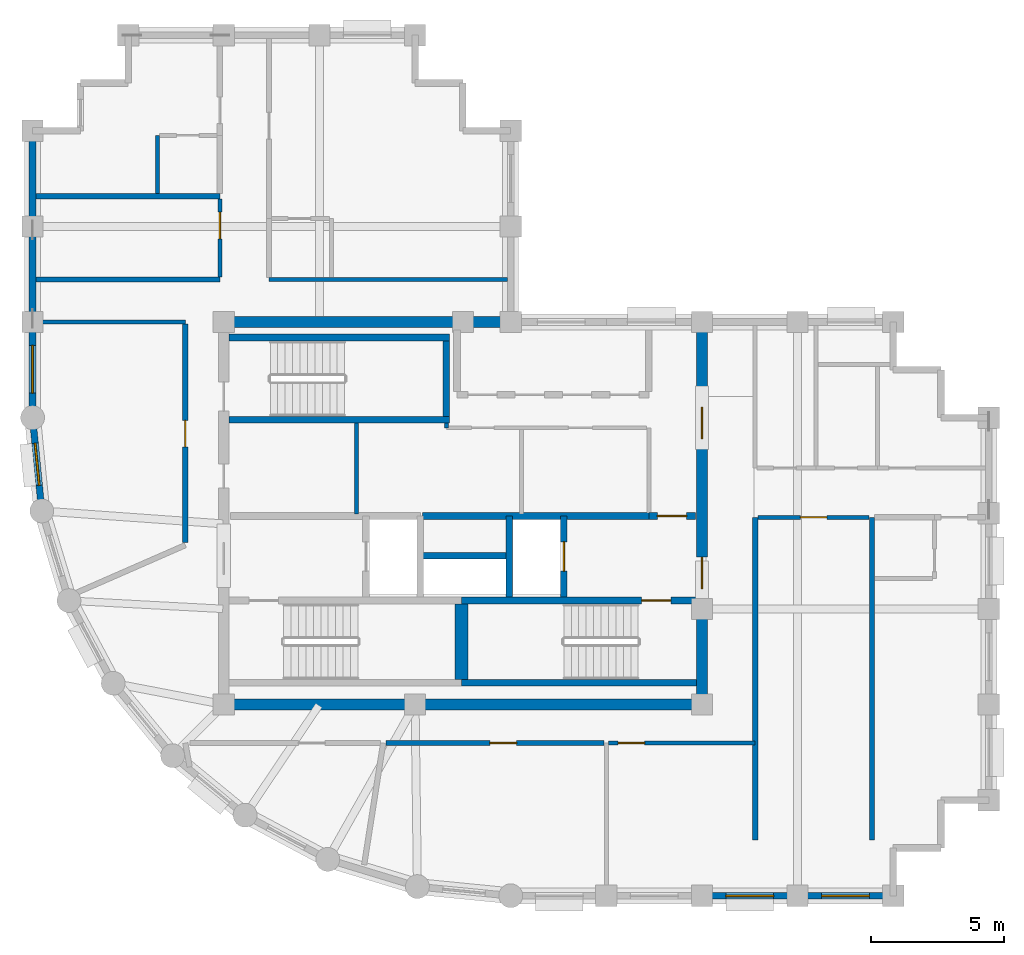
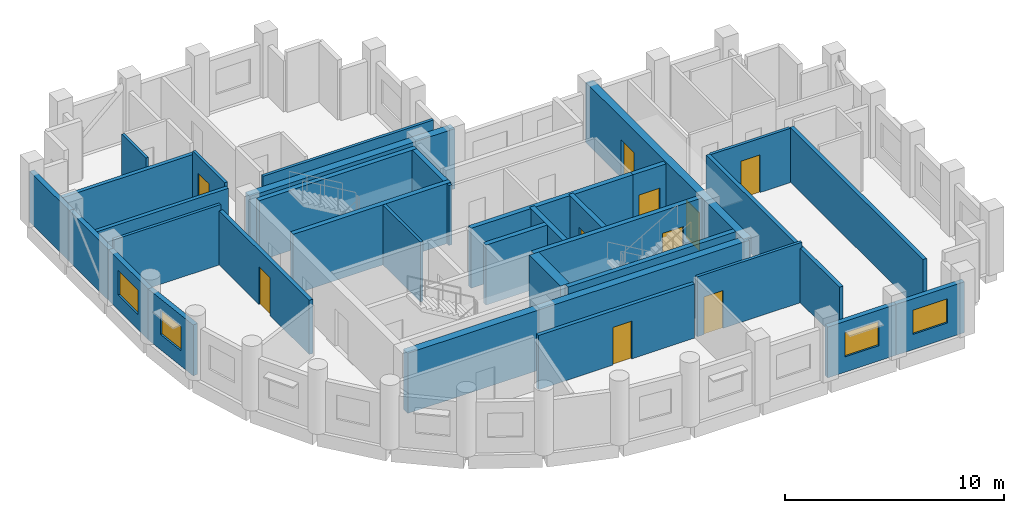
# One storey, part 3 of 7: 34 walls, 10 doors, 4 windows, 14 openings.
"""IFC4 building model written with IfcOpenShell, lengths in metres."""

from ifc_helpers import new_model, si_unit, direction, frame, frame_2d, origin, place, context, subcontext, project, spatial, rectangle, extrude, material, layer, layer_set, type_object, element, fill, save


model = new_model("IFC4")

# Units and contexts
model_context = context("Model", 3, precision=1e-05, world=origin(), true_north=direction((0.0, 1.0)))
body_context = subcontext(model_context, "Body", "Model", "MODEL_VIEW")
ifc_project = project(units=[si_unit("LENGTHUNIT", "METRE"), si_unit("AREAUNIT", "SQUARE_METRE"), si_unit("VOLUMEUNIT", "CUBIC_METRE"), si_unit("PLANEANGLEUNIT", "RADIAN"), si_unit("MASSUNIT", "GRAM", prefix="KILO")], contexts=[model_context])

# Site, building, storey
site_placement = place(None, origin())
site = spatial("IfcSite", under=ifc_project, at=site_placement, CompositionType="ELEMENT")
building_placement = place(site_placement, origin())
building = spatial("IfcBuilding", under=site, at=building_placement, Name="Solnavia Interchange Tower", CompositionType="ELEMENT")
storey_placement = place(building_placement, frame((0.0, 0.0, 242.60009765625)))
storey = spatial("IfcBuildingStorey", under=building, at=storey_placement, Name="L61", CompositionType="ELEMENT", Elevation=242.60009765625)

# Wall, opening, door
ifc_material_1 = material(Name="Gypsum Acoustic Twin-Stud & Mineral Wool", Category="gypsum")
ifc_layer_1 = layer(ifc_material_1, 0.199951171875)
ifc_layer_set_1 = layer_set([ifc_layer_1], Name="Gypsum Acoustic Twin-Stud & Mineral Wool")
wall_type_1 = type_object("IfcWallType", Name="Wall-ApartmentParty-200", PredefinedType="PARTITIONING", material=ifc_layer_set_1)
wall_1_placement = place(storey_placement, frame((12.949951171875, 16.904052734375, 0.0), z_axis=(0.0, 0.0, 1.0), x_axis=(0.0, 1.0, 0.0)))
wall_1 = element("IfcWall", 1, at=wall_1_placement, inside=storey, type_object=wall_type_1, Name="PTW-L61-12 Interior partition wall", PredefinedType="PARTITIONING", context=body_context, shape_type="SweptSolid", body=[
    extrude(rectangle(XDim=8.217041015625, YDim=0.199951171875, at=frame_2d((4.1083984375, 0.0))), origin(), (0.0, 0.0, 1.0), 3.02001953125),
])
opening_1_placement = place(wall_1_placement, frame((3.595947265625, 0.0, 0.0)))
opening_1 = element("IfcOpeningElement", 2, at=opening_1_placement, cuts=wall_1, Name="Opening DR-07", PredefinedType="OPENING", context=body_context, shape_type="SweptSolid", body=[
    extrude(rectangle(XDim=1.0, YDim=2.10009765625, at=frame_2d((0.5, 1.050048828125))), frame((0.0, 0.10986328125, 0.0), z_axis=(0.0, -1.0, 0.0), x_axis=(1.0, 0.0, 0.0)), (0.0, 0.0, 1.0), 0.219970703125),
])
ifc_material_2 = material(Name="Timber & Acoustic Glazed Office Door", Category="wood")
door_type_1 = type_object("IfcDoorType", Name="Door-Office-1000x2100", OperationType="SINGLE_SWING_RIGHT", PredefinedType="DOOR", material=ifc_material_2)
door_1_placement = place(opening_1_placement, origin())
door_1 = element("IfcDoor", 3, at=door_1_placement, inside=storey, type_object=door_type_1, Name="DR-L61-03 Interior room door", OperationType="SINGLE_SWING_LEFT", OverallHeight=2.10009765625, OverallWidth=1.0, PredefinedType="DOOR", context=body_context, shape_type="SweptSolid", body=[
    extrude(rectangle(XDim=1.0, YDim=2.10009765625, at=frame_2d((0.5, 1.050048828125))), frame((0.0, 0.02490234375, 0.0), z_axis=(0.0, -1.0, 0.0), x_axis=(1.0, 0.0, 0.0)), (0.0, 0.0, 1.0), 0.050048828125),
])
fill(opening_1, door_1)

wall_2_placement = place(storey_placement, frame((20.50390625, 9.35009765625, 0.0), z_axis=(0.0, 0.0, 1.0), x_axis=(1.0, 0.0, 0.0)))
wall_2 = element("IfcWall", 4, at=wall_2_placement, inside=storey, type_object=wall_type_1, Name="PTW-L61-15 Interior partition wall", PredefinedType="PARTITIONING", context=body_context, shape_type="SweptSolid", body=[
    extrude(rectangle(XDim=8.217041015625, YDim=0.199951171875, at=frame_2d((4.1083984375, 0.0))), origin(), (0.0, 0.0, 1.0), 3.02001953125),
])
opening_2_placement = place(wall_2_placement, frame((3.9140625, 0.0, 0.0)))
opening_2 = element("IfcOpeningElement", 5, at=opening_2_placement, cuts=wall_2, Name="Opening DR-07", PredefinedType="OPENING", context=body_context, shape_type="SweptSolid", body=[
    extrude(rectangle(XDim=1.0, YDim=2.10009765625, at=frame_2d((0.5, 1.050048828125))), frame((0.0, 0.10986328125, 0.0), z_axis=(0.0, -1.0, 0.0), x_axis=(1.0, 0.0, 0.0)), (0.0, 0.0, 1.0), 0.219970703125),
])
door_2_placement = place(opening_2_placement, origin())
door_2 = element("IfcDoor", 6, at=door_2_placement, inside=storey, type_object=door_type_1, Name="DR-L61-06 Interior room door", OperationType="SINGLE_SWING_RIGHT", OverallHeight=2.10009765625, OverallWidth=1.0, PredefinedType="DOOR", context=body_context, shape_type="SweptSolid", body=[
    extrude(rectangle(XDim=1.0, YDim=2.10009765625, at=frame_2d((0.5, 1.050048828125))), frame((0.0, 0.02490234375, 0.0), z_axis=(0.0, -1.0, 0.0), x_axis=(1.0, 0.0, 0.0)), (0.0, 0.0, 1.0), 0.050048828125),
])
fill(opening_2, door_2)

# Walls
for number, where, z_axis, x_axis, name in (
    (7, (34.39990234375, 5.699951171875, 0.0), (0.0, 0.0, 1.0), (0.0, 1.0, 0.0), "PTW-L61-17 Interior partition wall"),
    (8, (38.800048828125, 5.699951171875, 0.0), (0.0, 0.0, 1.0), (0.0, 1.0, 0.0), "PTW-L61-18 Interior partition wall"),
):
    element("IfcWall", number, at=place(storey_placement, frame(where, z_axis=z_axis, x_axis=x_axis)), inside=storey, type_object=wall_type_1, Name=name, PredefinedType="PARTITIONING", context=body_context, shape_type="SweptSolid", body=[
        extrude(rectangle(XDim=12.150146484375, YDim=0.199951171875, at=frame_2d((6.0751953125, 0.0))), origin(), (0.0, 0.0, 1.0), 3.02978515625),
    ])
for number, where, z_axis, x_axis, name in (
    (9, (7.3291015625, 26.800048828125, 0.0), (0.0, 0.0, 1.0), (1.0, 0.0, 0.0), "PTW-L61-25 Interior partition wall"),
    (10, (7.3291015625, 29.929931640625, 0.0), (0.0, 0.0, 1.0), (1.0, 0.0, 0.0), "PTW-L61-26 Interior partition wall"),
):
    element("IfcWall", number, at=place(storey_placement, frame(where, z_axis=z_axis, x_axis=x_axis)), inside=storey, type_object=wall_type_1, Name=name, PredefinedType="PARTITIONING", context=body_context, shape_type="SweptSolid", body=[
        extrude(rectangle(XDim=6.9208984375, YDim=0.199951171875, at=frame_2d((3.46044921875, 0.0))), origin(), (0.0, 0.0, 1.0), 2.829833984375),
    ])

# Wall, opening, window
ifc_material_3 = material(Name="Concrete C40/50", Category="concrete")
ifc_layer_2 = layer(ifc_material_3, 0.25)
ifc_layer_set_2 = layer_set([ifc_layer_2], Name="Concrete C40/50")
wall_type_2 = type_object("IfcWallType", Name="Wall-ExtSpandrel-250", PredefinedType="STANDARD", material=ifc_layer_set_2)
wall_3_placement = place(storey_placement, frame((36.0, 3.60009765625, 0.0), z_axis=(0.0, 0.0, 1.0), x_axis=(-1.0, 0.0, 0.0)))
wall_3 = element("IfcWall", 11, at=wall_3_placement, inside=storey, type_object=wall_type_2, Name="EXW-L61-03 Exterior precast spandrel wall", PredefinedType="STANDARD", context=body_context, shape_type="SweptSolid", body=[
    extrude(rectangle(XDim=3.60009765625, YDim=0.25, at=frame_2d((1.800048828125, 0.0))), origin(), (0.0, 0.0, 1.0), 2.829833984375),
])
opening_3_placement = place(wall_3_placement, frame((0.89990234375, 0.0, 0.85009765625)))
opening_3 = element("IfcOpeningElement", 12, at=opening_3_placement, cuts=wall_3, Name="Opening WIN-02", PredefinedType="OPENING", context=body_context, shape_type="SweptSolid", body=[
    extrude(rectangle(XDim=1.800048828125, YDim=1.35009765625, at=frame_2d((0.89990234375, 0.675048828125))), frame((0.0, 0.135009765625, 0.0), z_axis=(0.0, -1.0, 0.0), x_axis=(1.0, 0.0, 0.0)), (0.0, 0.0, 1.0), 0.27001953125),
])
ifc_material_4 = material(Name="Thermal-Break Aluminium & Low-E Glass", Category="aluminium")
window_type_1 = type_object("IfcWindowType", Name="Window-Ribbon-1800x1350", PartitioningType="SINGLE_PANEL", PredefinedType="WINDOW", material=ifc_material_4)
window_1_placement = place(opening_3_placement, origin())
window_1 = element("IfcWindow", 13, at=window_1_placement, inside=storey, type_object=window_type_1, Name="WIN-L61-03 Facade ribbon window", OverallHeight=1.35009765625, OverallWidth=1.800048828125, PartitioningType="SINGLE_PANEL", PredefinedType="WINDOW", context=body_context, shape_type="SweptSolid", body=[
    extrude(rectangle(XDim=1.800048828125, YDim=1.35009765625, at=frame_2d((0.89990234375, 0.675048828125))), frame((0.0, 0.030029296875, 0.0), z_axis=(0.0, -1.0, 0.0), x_axis=(1.0, 0.0, 0.0)), (0.0, 0.0, 1.0), 0.06005859375),
])
fill(opening_3, window_1)

wall_4_placement = place(storey_placement, frame((39.60009765625, 3.60009765625, 0.0), z_axis=(0.0, 0.0, 1.0), x_axis=(-1.0, 0.0, 0.0)))
wall_4 = element("IfcWall", 14, at=wall_4_placement, inside=storey, type_object=wall_type_2, Name="EXW-L61-04 Exterior precast spandrel wall", PredefinedType="STANDARD", context=body_context, shape_type="SweptSolid", body=[
    extrude(rectangle(XDim=3.60009765625, YDim=0.25, at=frame_2d((1.800048828125, 0.0))), origin(), (0.0, 0.0, 1.0), 2.829833984375),
])
opening_4_placement = place(wall_4_placement, frame((0.89990234375, 0.0, 0.85009765625)))
opening_4 = element("IfcOpeningElement", 15, at=opening_4_placement, cuts=wall_4, Name="Opening WIN-02", PredefinedType="OPENING", context=body_context, shape_type="SweptSolid", body=[
    extrude(rectangle(XDim=1.800048828125, YDim=1.35009765625, at=frame_2d((0.89990234375, 0.675048828125))), frame((0.0, 0.135009765625, 0.0), z_axis=(0.0, -1.0, 0.0), x_axis=(1.0, 0.0, 0.0)), (0.0, 0.0, 1.0), 0.27001953125),
])
window_2_placement = place(opening_4_placement, origin())
window_2 = element("IfcWindow", 16, at=window_2_placement, inside=storey, type_object=window_type_1, Name="WIN-L61-04 Facade ribbon window", OverallHeight=1.35009765625, OverallWidth=1.800048828125, PartitioningType="SINGLE_PANEL", PredefinedType="WINDOW", context=body_context, shape_type="SweptSolid", body=[
    extrude(rectangle(XDim=1.800048828125, YDim=1.35009765625, at=frame_2d((0.89990234375, 0.675048828125))), frame((0.0, 0.030029296875, 0.0), z_axis=(0.0, -1.0, 0.0), x_axis=(1.0, 0.0, 0.0)), (0.0, 0.0, 1.0), 0.06005859375),
])
fill(opening_4, window_2)

# Walls
wall_5_placement = place(storey_placement, frame((7.199951171875, 28.800048828125, 0.0), z_axis=(0.0, 0.0, 1.0), x_axis=(0.0, 1.0, 0.0)))
element("IfcWall", 17, at=wall_5_placement, inside=storey, type_object=wall_type_2, Name="EXW-L61-34 Exterior precast spandrel wall", PredefinedType="STANDARD", context=body_context, shape_type="SweptSolid", body=[
    extrude(rectangle(XDim=3.599853515625, YDim=0.25, at=frame_2d((1.7998046875, 0.0))), origin(), (0.0, 0.0, 1.0), 2.829833984375),
])
wall_6_placement = place(storey_placement, frame((7.199951171875, 25.199951171875, 0.0), z_axis=(0.0, 0.0, 1.0), x_axis=(0.0, 1.0, 0.0)))
element("IfcWall", 18, at=wall_6_placement, inside=storey, type_object=wall_type_2, Name="EXW-L61-35 Exterior precast spandrel wall", PredefinedType="STANDARD", context=body_context, shape_type="SweptSolid", body=[
    extrude(rectangle(XDim=3.60009765625, YDim=0.25, at=frame_2d((1.800048828125, 0.0))), origin(), (0.0, 0.0, 1.0), 2.829833984375),
])

# Wall, opening, window
wall_7_placement = place(storey_placement, frame((7.199951171875, 21.60009765625, 0.0), z_axis=(0.0, 0.0, 1.0), x_axis=(0.0, 1.0, 0.0)))
wall_7 = element("IfcWall", 19, at=wall_7_placement, inside=storey, type_object=wall_type_2, Name="EXW-L61-36 Exterior precast spandrel wall", PredefinedType="STANDARD", context=body_context, shape_type="SweptSolid", body=[
    extrude(rectangle(XDim=3.599853515625, YDim=0.25, at=frame_2d((1.7998046875, 0.0))), origin(), (0.0, 0.0, 1.0), 2.829833984375),
])
opening_5_placement = place(wall_7_placement, frame((0.925048828125, 0.0, 0.85009765625)))
opening_5 = element("IfcOpeningElement", 20, at=opening_5_placement, cuts=wall_7, Name="Opening WIN-02", PredefinedType="OPENING", context=body_context, shape_type="SweptSolid", body=[
    extrude(rectangle(XDim=1.800048828125, YDim=1.35009765625, at=frame_2d((0.89990234375, 0.675048828125))), frame((0.0, 0.135009765625, 0.0), z_axis=(0.0, -1.0, 0.0), x_axis=(1.0, 0.0, 0.0)), (0.0, 0.0, 1.0), 0.27001953125),
])
window_3_placement = place(opening_5_placement, origin())
window_3 = element("IfcWindow", 21, at=window_3_placement, inside=storey, type_object=window_type_1, Name="WIN-L61-36 Facade ribbon window", OverallHeight=1.35009765625, OverallWidth=1.800048828125, PartitioningType="SINGLE_PANEL", PredefinedType="WINDOW", context=body_context, shape_type="SweptSolid", body=[
    extrude(rectangle(XDim=1.800048828125, YDim=1.35009765625, at=frame_2d((0.89990234375, 0.675048828125))), frame((0.0, 0.030029296875, 0.0), z_axis=(0.0, -1.0, 0.0), x_axis=(1.0, 0.0, 0.0)), (0.0, 0.0, 1.0), 0.06005859375),
])
fill(opening_5, window_3)

wall_8_placement = place(storey_placement, frame((7.5458984375, 18.087890625, 0.0), z_axis=(0.0, 0.0, 1.0), x_axis=(-0.09802417461, 0.995184033831, 0.0)))
wall_8 = element("IfcWall", 22, at=wall_8_placement, inside=storey, type_object=wall_type_2, Name="EXW-L61-37 Exterior precast spandrel wall", PredefinedType="STANDARD", context=body_context, shape_type="SweptSolid", body=[
    extrude(rectangle(XDim=3.529296875, YDim=0.25, at=frame_2d((1.7646484375, 0.0))), origin(), (0.0, 0.0, 1.0), 2.829833984375),
])
opening_6_placement = place(wall_8_placement, frame((0.965087890625, 0.0, 0.85009765625)))
opening_6 = element("IfcOpeningElement", 23, at=opening_6_placement, cuts=wall_8, Name="Opening WIN-04", PredefinedType="OPENING", context=body_context, shape_type="SweptSolid", body=[
    extrude(rectangle(XDim=1.60009765625, YDim=1.35009765625, at=frame_2d((0.800048828125, 0.675048828125))), frame((0.0, 0.135009765625, 0.0), z_axis=(0.0, -1.0, 0.0), x_axis=(1.0, 0.0, 0.0)), (0.0, 0.0, 1.0), 0.27001953125),
])
window_type_2 = type_object("IfcWindowType", Name="Window-Drum-1600x1350", PartitioningType="SINGLE_PANEL", PredefinedType="WINDOW", material=ifc_material_4)
window_4_placement = place(opening_6_placement, origin())
window_4 = element("IfcWindow", 24, at=window_4_placement, inside=storey, type_object=window_type_2, Name="WIN-L61-37 Facade ribbon window", OverallHeight=1.35009765625, OverallWidth=1.60009765625, PartitioningType="SINGLE_PANEL", PredefinedType="WINDOW", context=body_context, shape_type="SweptSolid", body=[
    extrude(rectangle(XDim=1.60009765625, YDim=1.35009765625, at=frame_2d((0.800048828125, 0.675048828125))), frame((0.0, 0.030029296875, 0.0), z_axis=(0.0, -1.0, 0.0), x_axis=(1.0, 0.0, 0.0)), (0.0, 0.0, 1.0), 0.06005859375),
])
fill(opening_6, window_4)

# Walls
ifc_material_5 = material(Name="Gypsum Plasterboard & Steel Stud", Category="steel")
ifc_layer_3 = layer(ifc_material_5, 0.14990234375)
ifc_layer_set_3 = layer_set([ifc_layer_3], Name="Gypsum Plasterboard & Steel Stud")
wall_type_3 = type_object("IfcWallType", Name="Wall-Partition-150", PredefinedType="PARTITIONING", material=ifc_layer_set_3)
wall_9_placement = place(storey_placement, frame((22.77490234375, 21.219970703125, 0.0), z_axis=(0.0, 0.0, 1.0), x_axis=(0.0, 1.0, 0.0)))
element("IfcWall", 25, at=wall_9_placement, inside=storey, type_object=wall_type_3, Name="CSW-L61-ST-TIE Core shaft wall", PredefinedType="PARTITIONING", context=body_context, shape_type="SweptSolid", body=[
    extrude(rectangle(XDim=0.175048828125, YDim=0.14990234375, at=frame_2d((0.08740234375, 0.0))), origin(), (0.0, 0.0, 1.0), 3.3349609375),
])
wall_10_placement = place(storey_placement, frame((19.39990234375, 17.97998046875, 0.0), z_axis=(0.0, 0.0, 1.0), x_axis=(0.0, 1.0, 0.0)))
element("IfcWall", 26, at=wall_10_placement, inside=storey, type_object=wall_type_3, Name="CSW-L61-M1 Core shaft wall", PredefinedType="PARTITIONING", context=body_context, shape_type="SweptSolid", body=[
    extrude(rectangle(XDim=3.419921875, YDim=0.14990234375, at=frame_2d((1.7099609375, 0.0))), origin(), (0.0, 0.0, 1.0), 3.3349609375),
])
wall_11_placement = place(storey_placement, frame((7.3291015625, 25.199951171875, 0.0), z_axis=(0.0, 0.0, 1.0), x_axis=(1.0, 0.0, 0.0)))
element("IfcWall", 27, at=wall_11_placement, inside=storey, type_object=wall_type_3, Name="PTW-L61-07 Interior partition wall", PredefinedType="PARTITIONING", context=body_context, shape_type="SweptSolid", body=[
    extrude(rectangle(XDim=5.620849609375, YDim=0.14990234375, at=frame_2d((2.810546875, 0.0))), origin(), (0.0, 0.0, 1.0), 3.3349609375),
])

# Wall, opening, door
wall_12_placement = place(storey_placement, frame((28.87890625, 9.35009765625, 0.0), z_axis=(0.0, 0.0, 1.0), x_axis=(1.0, 0.0, 0.0)))
wall_12 = element("IfcWall", 28, at=wall_12_placement, inside=storey, type_object=wall_type_3, Name="PTW-L61-16 Interior partition wall", PredefinedType="PARTITIONING", context=body_context, shape_type="SweptSolid", body=[
    extrude(rectangle(XDim=5.52099609375, YDim=0.14990234375, at=frame_2d((2.760498046875, 0.0))), origin(), (0.0, 0.0, 1.0), 3.3349609375),
])
opening_7_placement = place(wall_12_placement, frame((0.360107421875, 0.0, 0.0)))
opening_7 = element("IfcOpeningElement", 29, at=opening_7_placement, cuts=wall_12, Name="Opening DR-07", PredefinedType="OPENING", context=body_context, shape_type="SweptSolid", body=[
    extrude(rectangle(XDim=1.0, YDim=2.10009765625, at=frame_2d((0.5, 1.050048828125))), frame((0.0, 0.0849609375, 0.0), z_axis=(0.0, -1.0, 0.0), x_axis=(1.0, 0.0, 0.0)), (0.0, 0.0, 1.0), 0.169921875),
])
door_3_placement = place(opening_7_placement, origin())
door_3 = element("IfcDoor", 30, at=door_3_placement, inside=storey, type_object=door_type_1, Name="DR-L61-07 Interior room door", OperationType="SINGLE_SWING_LEFT", OverallHeight=2.10009765625, OverallWidth=1.0, PredefinedType="DOOR", context=body_context, shape_type="SweptSolid", body=[
    extrude(rectangle(XDim=1.0, YDim=2.10009765625, at=frame_2d((0.5, 1.050048828125))), frame((0.0, 0.02490234375, 0.0), z_axis=(0.0, -1.0, 0.0), x_axis=(1.0, 0.0, 0.0)), (0.0, 0.0, 1.0), 0.050048828125),
])
fill(opening_7, door_3)

wall_13_placement = place(storey_placement, frame((34.50390625, 17.85009765625, 0.0), z_axis=(0.0, 0.0, 1.0), x_axis=(1.0, 0.0, 0.0)))
wall_13 = element("IfcWall", 31, at=wall_13_placement, inside=storey, type_object=wall_type_3, Name="PTW-L61-19 Interior partition wall", PredefinedType="PARTITIONING", context=body_context, shape_type="SweptSolid", body=[
    extrude(rectangle(XDim=4.192138671875, YDim=0.14990234375, at=frame_2d((2.09619140625, 0.0))), origin(), (0.0, 0.0, 1.0), 3.02001953125),
])
opening_8_placement = place(wall_13_placement, frame((1.595947265625, 0.0, 0.0)))
opening_8 = element("IfcOpeningElement", 32, at=opening_8_placement, cuts=wall_13, Name="Opening DR-07", PredefinedType="OPENING", context=body_context, shape_type="SweptSolid", body=[
    extrude(rectangle(XDim=1.0, YDim=2.10009765625, at=frame_2d((0.5, 1.050048828125))), frame((0.0, 0.0849609375, 0.0), z_axis=(0.0, -1.0, 0.0), x_axis=(1.0, 0.0, 0.0)), (0.0, 0.0, 1.0), 0.169921875),
])
door_4_placement = place(opening_8_placement, origin())
door_4 = element("IfcDoor", 33, at=door_4_placement, inside=storey, type_object=door_type_1, Name="DR-L61-08 Interior room door", OperationType="SINGLE_SWING_LEFT", OverallHeight=2.10009765625, OverallWidth=1.0, PredefinedType="DOOR", context=body_context, shape_type="SweptSolid", body=[
    extrude(rectangle(XDim=1.0, YDim=2.10009765625, at=frame_2d((0.5, 1.050048828125))), frame((0.0, 0.02490234375, 0.0), z_axis=(0.0, -1.0, 0.0), x_axis=(1.0, 0.0, 0.0)), (0.0, 0.0, 1.0), 0.050048828125),
])
fill(opening_8, door_4)

wall_14_placement = place(storey_placement, frame((14.25, 26.904052734375, 0.0), z_axis=(0.0, 0.0, 1.0), x_axis=(0.0, 1.0, 0.0)))
wall_14 = element("IfcWall", 34, at=wall_14_placement, inside=storey, type_object=wall_type_3, Name="PTW-L61-27 Interior partition wall", PredefinedType="PARTITIONING", context=body_context, shape_type="SweptSolid", body=[
    extrude(rectangle(XDim=2.921875, YDim=0.14990234375, at=frame_2d((1.4609375, 0.0))), origin(), (0.0, 0.0, 1.0), 3.02978515625),
])
opening_9_placement = place(wall_14_placement, frame((1.430908203125, 0.0, 0.0)))
opening_9 = element("IfcOpeningElement", 35, at=opening_9_placement, cuts=wall_14, Name="Opening DR-07", PredefinedType="OPENING", context=body_context, shape_type="SweptSolid", body=[
    extrude(rectangle(XDim=1.0, YDim=2.10009765625, at=frame_2d((0.5, 1.050048828125))), frame((0.0, 0.0849609375, 0.0), z_axis=(0.0, -1.0, 0.0), x_axis=(1.0, 0.0, 0.0)), (0.0, 0.0, 1.0), 0.169921875),
])
door_5_placement = place(opening_9_placement, origin())
door_5 = element("IfcDoor", 36, at=door_5_placement, inside=storey, type_object=door_type_1, Name="DR-L61-12 Interior room door", OperationType="SINGLE_SWING_RIGHT", OverallHeight=2.10009765625, OverallWidth=1.0, PredefinedType="DOOR", context=body_context, shape_type="SweptSolid", body=[
    extrude(rectangle(XDim=1.0, YDim=2.10009765625, at=frame_2d((0.5, 1.050048828125))), frame((0.0, 0.02490234375, 0.0), z_axis=(0.0, -1.0, 0.0), x_axis=(1.0, 0.0, 0.0)), (0.0, 0.0, 1.0), 0.050048828125),
])
fill(opening_9, door_5)

# Walls
wall_15_placement = place(storey_placement, frame((16.10009765625, 26.800048828125, 0.0), z_axis=(0.0, 0.0, 1.0), x_axis=(1.0, 0.0, 0.0)))
element("IfcWall", 37, at=wall_15_placement, inside=storey, type_object=wall_type_3, Name="PTW-L61-32 Interior partition wall", PredefinedType="PARTITIONING", context=body_context, shape_type="SweptSolid", body=[
    extrude(rectangle(XDim=8.970947265625, YDim=0.14990234375, at=frame_2d((4.4853515625, 0.0))), origin(), (0.0, 0.0, 1.0), 2.829833984375),
])
ifc_layer_4 = layer(ifc_material_3, 0.25)
ifc_layer_set_4 = layer_set([ifc_layer_4], Name="Concrete C40/50")
wall_type_4 = type_object("IfcWallType", Name="Wall-ShaftCore-250", PredefinedType="SHEAR", material=ifc_layer_set_4)
wall_16_placement = place(storey_placement, frame((23.35009765625, 11.625, 0.0), z_axis=(0.0, 0.0, 1.0), x_axis=(1.0, 0.0, 0.0)))
element("IfcWall", 38, at=wall_16_placement, inside=storey, type_object=wall_type_4, Name="SHW-L61-ST2S Core shear wall", PredefinedType="SHEAR", context=body_context, shape_type="SweptSolid", body=[
    extrude(rectangle(XDim=8.849853515625, YDim=0.25, at=frame_2d((4.4248046875, 0.0))), origin(), (0.0, 0.0, 1.0), 3.349853515625),
])

# Wall, opening, door
wall_17_placement = place(storey_placement, frame((23.35009765625, 14.715087890625, 0.0), z_axis=(0.0, 0.0, 1.0), x_axis=(1.0, 0.0, 0.0)))
wall_17 = element("IfcWall", 39, at=wall_17_placement, inside=storey, type_object=wall_type_4, Name="SHW-L61-ST2N Core shear wall", PredefinedType="SHEAR", context=body_context, shape_type="SweptSolid", body=[
    extrude(rectangle(XDim=8.849853515625, YDim=0.25, at=frame_2d((4.4248046875, 0.0))), origin(), (0.0, 0.0, 1.0), 3.349853515625),
])
opening_10_placement = place(wall_17_placement, frame((6.77490234375, 0.0, 0.0)))
opening_10 = element("IfcOpeningElement", 40, at=opening_10_placement, cuts=wall_17, Name="Opening DR-01", PredefinedType="OPENING", context=body_context, shape_type="SweptSolid", body=[
    extrude(rectangle(XDim=1.10009765625, YDim=2.10009765625, at=frame_2d((0.550048828125, 1.050048828125))), frame((0.0, 0.135009765625, 0.0), z_axis=(0.0, -1.0, 0.0), x_axis=(1.0, 0.0, 0.0)), (0.0, 0.0, 1.0), 0.27001953125),
])
ifc_material_6 = material(Name="Steel Fire-Rated Leaf & Frame", Category="steel")
door_type_2 = type_object("IfcDoorType", Name="Door-StairFire-1100x2100", OperationType="SINGLE_SWING_LEFT", PredefinedType="DOOR", material=ifc_material_6)
door_6_placement = place(opening_10_placement, origin())
door_6 = element("IfcDoor", 41, at=door_6_placement, inside=storey, type_object=door_type_2, Name="DR-L61-ST2 Core fire door", OperationType="SINGLE_SWING_LEFT", OverallHeight=2.10009765625, OverallWidth=1.10009765625, PredefinedType="DOOR", context=body_context, shape_type="SweptSolid", body=[
    extrude(rectangle(XDim=1.10009765625, YDim=2.10009765625, at=frame_2d((0.550048828125, 1.050048828125))), frame((0.0, 0.02490234375, 0.0), z_axis=(0.0, -1.0, 0.0), x_axis=(1.0, 0.0, 0.0)), (0.0, 0.0, 1.0), 0.050048828125),
])
fill(opening_10, door_6)

# Walls
for number, where, z_axis, x_axis, name in (
    (42, (14.60009765625, 21.52490234375, 0.0), (0.0, 0.0, 1.0), (1.0, 0.0, 0.0), "SHW-L61-ST3S Core shear wall"),
    (43, (14.60009765625, 24.614990234375, 0.0), (0.0, 0.0, 1.0), (1.0, 0.0, 0.0), "SHW-L61-ST3N Core shear wall"),
):
    element("IfcWall", number, at=place(storey_placement, frame(where, z_axis=z_axis, x_axis=x_axis)), inside=storey, type_object=wall_type_4, Name=name, PredefinedType="SHEAR", context=body_context, shape_type="SweptSolid", body=[
        extrude(rectangle(XDim=8.2998046875, YDim=0.25, at=frame_2d((4.14990234375, 0.0))), origin(), (0.0, 0.0, 1.0), 3.349853515625),
    ])
wall_18_placement = place(storey_placement, frame((22.77490234375, 21.64990234375, 0.0), z_axis=(0.0, 0.0, 1.0), x_axis=(0.0, 1.0, 0.0)))
element("IfcWall", 44, at=wall_18_placement, inside=storey, type_object=wall_type_4, Name="SHW-L61-ST3E Core shear wall", PredefinedType="SHEAR", context=body_context, shape_type="SweptSolid", body=[
    extrude(rectangle(XDim=2.840087890625, YDim=0.25, at=frame_2d((1.419921875, 0.0))), origin(), (0.0, 0.0, 1.0), 3.349853515625),
])
ifc_layer_5 = layer(ifc_material_3, 0.25)
ifc_layer_set_5 = layer_set([ifc_layer_5], Name="Concrete C40/50")
wall_type_5 = type_object("IfcWallType", Name="Wall-ShaftPart-250", PredefinedType="PARTITIONING", material=ifc_layer_set_5)
wall_19_placement = place(storey_placement, frame((21.8798828125, 17.89990234375, 0.0), z_axis=(0.0, 0.0, 1.0), x_axis=(1.0, 0.0, 0.0)))
element("IfcWall", 45, at=wall_19_placement, inside=storey, type_object=wall_type_5, Name="SHW-L61-FFLE-N1 Core shaft wall", PredefinedType="PARTITIONING", context=body_context, shape_type="SweptSolid", body=[
    extrude(rectangle(XDim=8.52001953125, YDim=0.25, at=frame_2d((4.260009765625, 0.0))), origin(), (0.0, 0.0, 1.0), 3.3349609375),
])

# Wall, opening, door
wall_20_placement = place(storey_placement, frame((30.39990234375, 17.89990234375, 0.0), z_axis=(0.0, 0.0, 1.0), x_axis=(1.0, 0.0, 0.0)))
wall_20 = element("IfcWall", 46, at=wall_20_placement, inside=storey, type_object=wall_type_5, Name="SHW-L61-FFLE-N2 Core shaft wall", PredefinedType="PARTITIONING", context=body_context, shape_type="SweptSolid", body=[
    extrude(rectangle(XDim=1.75, YDim=0.25, at=frame_2d((0.875, 0.0))), origin(), (0.0, 0.0, 1.0), 3.3349609375),
])
opening_11_placement = place(wall_20_placement, frame((0.320068359375, 0.0, 0.0)))
opening_11 = element("IfcOpeningElement", 47, at=opening_11_placement, cuts=wall_20, Name="Opening DR-01", PredefinedType="OPENING", context=body_context, shape_type="SweptSolid", body=[
    extrude(rectangle(XDim=1.10009765625, YDim=2.10009765625, at=frame_2d((0.550048828125, 1.050048828125))), frame((0.0, 0.135009765625, 0.0), z_axis=(0.0, -1.0, 0.0), x_axis=(1.0, 0.0, 0.0)), (0.0, 0.0, 1.0), 0.27001953125),
])
door_7_placement = place(opening_11_placement, origin())
door_7 = element("IfcDoor", 48, at=door_7_placement, inside=storey, type_object=door_type_2, Name="DR-L61-LLC Core fire door", OperationType="SINGLE_SWING_LEFT", OverallHeight=2.10009765625, OverallWidth=1.10009765625, PredefinedType="DOOR", context=body_context, shape_type="SweptSolid", body=[
    extrude(rectangle(XDim=1.10009765625, YDim=2.10009765625, at=frame_2d((0.550048828125, 1.050048828125))), frame((0.0, 0.02490234375, 0.0), z_axis=(0.0, -1.0, 0.0), x_axis=(1.0, 0.0, 0.0)), (0.0, 0.0, 1.0), 0.050048828125),
])
fill(opening_11, door_7)

# Wall
wall_21_placement = place(storey_placement, frame((25.14990234375, 14.840087890625, 0.0), z_axis=(0.0, 0.0, 1.0), x_axis=(0.0, 1.0, 0.0)))
element("IfcWall", 49, at=wall_21_placement, inside=storey, type_object=wall_type_5, Name="SHW-L61-FFL2-W Core shaft wall", PredefinedType="PARTITIONING", context=body_context, shape_type="SweptSolid", body=[
    extrude(rectangle(XDim=3.059814453125, YDim=0.25, at=frame_2d((1.52978515625, 0.0))), origin(), (0.0, 0.0, 1.0), 3.3349609375),
])

# Wall, opening, door
wall_22_placement = place(storey_placement, frame((27.199951171875, 14.840087890625, 0.0), z_axis=(0.0, 0.0, 1.0), x_axis=(0.0, 1.0, 0.0)))
wall_22 = element("IfcWall", 50, at=wall_22_placement, inside=storey, type_object=wall_type_5, Name="SHW-L61-FFL2-E Core shaft wall", PredefinedType="PARTITIONING", context=body_context, shape_type="SweptSolid", body=[
    extrude(rectangle(XDim=3.059814453125, YDim=0.25, at=frame_2d((1.52978515625, 0.0))), origin(), (0.0, 0.0, 1.0), 3.3349609375),
])
opening_12_placement = place(wall_22_placement, frame((0.97998046875, 0.0, 0.0)))
opening_12 = element("IfcOpeningElement", 51, at=opening_12_placement, cuts=wall_22, Name="Opening LD-01", PredefinedType="OPENING", context=body_context, shape_type="SweptSolid", body=[
    extrude(rectangle(XDim=1.10009765625, YDim=2.10009765625, at=frame_2d((0.550048828125, 1.050048828125))), frame((0.0, 0.135009765625, 0.0), z_axis=(0.0, -1.0, 0.0), x_axis=(1.0, 0.0, 0.0)), (0.0, 0.0, 1.0), 0.27001953125),
])
ifc_material_7 = material(Name="Brushed Stainless Steel Sliding Door", Category="steel")
door_type_3 = type_object("IfcDoorType", Name="Door-LiftLanding-1100x2100", OperationType="SLIDING_TO_LEFT", PredefinedType="DOOR", material=ifc_material_7)
door_8_placement = place(opening_12_placement, origin())
door_8 = element("IfcDoor", 52, at=door_8_placement, inside=storey, type_object=door_type_3, Name="LD-L61-FFL2 Lift landing sliding door", OperationType="SLIDING_TO_LEFT", OverallHeight=2.10009765625, OverallWidth=1.10009765625, PredefinedType="DOOR", context=body_context, shape_type="SweptSolid", body=[
    extrude(rectangle(XDim=1.10009765625, YDim=2.10009765625, at=frame_2d((0.550048828125, 1.050048828125))), frame((0.0, 0.02490234375, 0.0), z_axis=(0.0, -1.0, 0.0), x_axis=(1.0, 0.0, 0.0)), (0.0, 0.0, 1.0), 0.050048828125),
])
fill(opening_12, door_8)

# Walls
wall_23_placement = place(storey_placement, frame((21.800048828125, 16.39990234375, 0.0), z_axis=(0.0, 0.0, 1.0), x_axis=(1.0, 0.0, 0.0)))
element("IfcWall", 53, at=wall_23_placement, inside=storey, type_object=wall_type_5, Name="SHW-L61-MEP-N Core shaft wall", PredefinedType="PARTITIONING", context=body_context, shape_type="SweptSolid", body=[
    extrude(rectangle(XDim=3.349853515625, YDim=0.25, at=frame_2d((1.6748046875, 0.0))), origin(), (0.0, 0.0, 1.0), 3.3349609375),
])
ifc_material_8 = material(Name="Concrete C50/60", Category="concrete")
ifc_layer_6 = layer(ifc_material_8, 0.39990234375)
ifc_layer_set_6 = layer_set([ifc_layer_6], Name="Concrete C50/60")
wall_type_6 = type_object("IfcWallType", Name="Wall-ShearCore-400", PredefinedType="SHEAR", material=ifc_layer_set_6)
wall_24_placement = place(storey_placement, frame((14.39990234375, 10.800048828125, 0.0), z_axis=(0.0, 0.0, 1.0), x_axis=(1.0, 0.0, 0.0)))
element("IfcWall", 54, at=wall_24_placement, inside=storey, type_object=wall_type_6, Name="CRW-L61-S Core shear wall", PredefinedType="SHEAR", context=body_context, shape_type="SweptSolid", body=[
    extrude(rectangle(XDim=18.0, YDim=0.39990234375, at=frame_2d((9.0, 0.0))), origin(), (0.0, 0.0, 1.0), 3.349853515625),
])
wall_25_placement = place(storey_placement, frame((14.39990234375, 25.199951171875, 0.0), z_axis=(0.0, 0.0, 1.0), x_axis=(1.0, 0.0, 0.0)))
element("IfcWall", 55, at=wall_25_placement, inside=storey, type_object=wall_type_6, Name="CRW-L61-N Core shear wall", PredefinedType="SHEAR", context=body_context, shape_type="SweptSolid", body=[
    extrude(rectangle(XDim=10.800048828125, YDim=0.39990234375, at=frame_2d((5.39990234375, 0.0))), origin(), (0.0, 0.0, 1.0), 3.349853515625),
])

# Wall, openings, doors
wall_26_placement = place(storey_placement, frame((32.39990234375, 10.800048828125, 0.0), z_axis=(0.0, 0.0, 1.0), x_axis=(0.0, 1.0, 0.0)))
wall_26 = element("IfcWall", 56, at=wall_26_placement, inside=storey, type_object=wall_type_6, Name="CRW-L61-E Core shear wall", PredefinedType="SHEAR", context=body_context, shape_type="SweptSolid", body=[
    extrude(rectangle(XDim=14.39990234375, YDim=0.39990234375, at=frame_2d((7.199951171875, 0.0))), origin(), (0.0, 0.0, 1.0), 3.349853515625),
])
opening_13_placement = place(wall_26_placement, frame((4.35009765625, 0.0, 0.0)))
opening_13 = element("IfcOpeningElement", 57, at=opening_13_placement, cuts=wall_26, Name="Opening DR-02", PredefinedType="OPENING", context=body_context, shape_type="SweptSolid", body=[
    extrude(rectangle(XDim=1.199951171875, YDim=2.10009765625, at=frame_2d((0.60009765625, 1.050048828125))), frame((0.0, 0.2099609375, 0.0), z_axis=(0.0, -1.0, 0.0), x_axis=(1.0, 0.0, 0.0)), (0.0, 0.0, 1.0), 0.419921875),
])
opening_14_placement = place(wall_26_placement, frame((10.0, 0.0, 0.0)))
opening_14 = element("IfcOpeningElement", 58, at=opening_14_placement, cuts=wall_26, Name="Opening DR-02", PredefinedType="OPENING", context=body_context, shape_type="SweptSolid", body=[
    extrude(rectangle(XDim=1.199951171875, YDim=2.10009765625, at=frame_2d((0.60009765625, 1.050048828125))), frame((0.0, 0.2099609375, 0.0), z_axis=(0.0, -1.0, 0.0), x_axis=(1.0, 0.0, 0.0)), (0.0, 0.0, 1.0), 0.419921875),
])
ifc_material_9 = material(Name="Steel Fire-Rated Vision-Panel Door", Category="steel")
door_type_4 = type_object("IfcDoorType", Name="Door-LobbyFire-1200x2100", OperationType="SINGLE_SWING_RIGHT", PredefinedType="DOOR", material=ifc_material_9)
door_9_placement = place(opening_13_placement, origin())
door_9 = element("IfcDoor", 59, at=door_9_placement, inside=storey, type_object=door_type_4, Name="DR-L61-FFL2E Core fire door", OperationType="SINGLE_SWING_LEFT", OverallHeight=2.10009765625, OverallWidth=1.199951171875, PredefinedType="DOOR", context=body_context, shape_type="SweptSolid", body=[
    extrude(rectangle(XDim=1.199951171875, YDim=2.10009765625, at=frame_2d((0.60009765625, 1.050048828125))), frame((0.0, 0.02490234375, 0.0), z_axis=(0.0, -1.0, 0.0), x_axis=(1.0, 0.0, 0.0)), (0.0, 0.0, 1.0), 0.050048828125),
])
fill(opening_13, door_9)
door_10_placement = place(opening_14_placement, origin())
door_10 = element("IfcDoor", 60, at=door_10_placement, inside=storey, type_object=door_type_4, Name="DR-L61-LLE Core fire door", OperationType="SINGLE_SWING_RIGHT", OverallHeight=2.10009765625, OverallWidth=1.199951171875, PredefinedType="DOOR", context=body_context, shape_type="SweptSolid", body=[
    extrude(rectangle(XDim=1.199951171875, YDim=2.10009765625, at=frame_2d((0.60009765625, 1.050048828125))), frame((0.0, 0.02490234375, 0.0), z_axis=(0.0, -1.0, 0.0), x_axis=(1.0, 0.0, 0.0)), (0.0, 0.0, 1.0), 0.050048828125),
])
fill(opening_14, door_10)

# Walls
ifc_material_10 = material(Name="Concrete C60/75", Category="concrete")
ifc_layer_7 = layer(ifc_material_10, 0.5)
ifc_layer_set_7 = layer_set([ifc_layer_7], Name="Concrete C60/75")
wall_type_7 = type_object("IfcWallType", Name="Wall-ShearCore-500", PredefinedType="SHEAR", material=ifc_layer_set_7)
wall_27_placement = place(storey_placement, frame((23.35009765625, 11.75, 0.0), z_axis=(0.0, 0.0, 1.0), x_axis=(0.0, 1.0, 0.0)))
element("IfcWall", 61, at=wall_27_placement, inside=storey, type_object=wall_type_7, Name="SHW-L61-ST12M Core shear wall", PredefinedType="SHEAR", context=body_context, shape_type="SweptSolid", body=[
    extrude(rectangle(XDim=2.840087890625, YDim=0.5, at=frame_2d((1.419921875, 0.0))), origin(), (0.0, 0.0, 1.0), 3.349853515625),
])
ifc_material_11 = material(Name="Moisture-Resistant Gypsum & Steel Stud", Category="steel")
ifc_layer_8 = layer(ifc_material_11, 0.14990234375)
ifc_layer_set_8 = layer_set([ifc_layer_8], Name="Moisture-Resistant Gypsum & Steel Stud")
wall_type_8 = type_object("IfcWallType", Name="Wall-WetRoom-150", PredefinedType="PARTITIONING", material=ifc_layer_set_8)
wall_28_placement = place(storey_placement, frame((11.89990234375, 30.033935546875, 0.0), z_axis=(0.0, 0.0, 1.0), x_axis=(0.0, 1.0, 0.0)))
element("IfcWall", 62, at=wall_28_placement, inside=storey, type_object=wall_type_8, Name="PTW-L61-30 Interior partition wall", PredefinedType="PARTITIONING", context=body_context, shape_type="SweptSolid", body=[
    extrude(rectangle(XDim=2.196044921875, YDim=0.14990234375, at=frame_2d((1.09814453125, 0.0))), origin(), (0.0, 0.0, 1.0), 3.3349609375),
])

save(model, "model.ifc")
